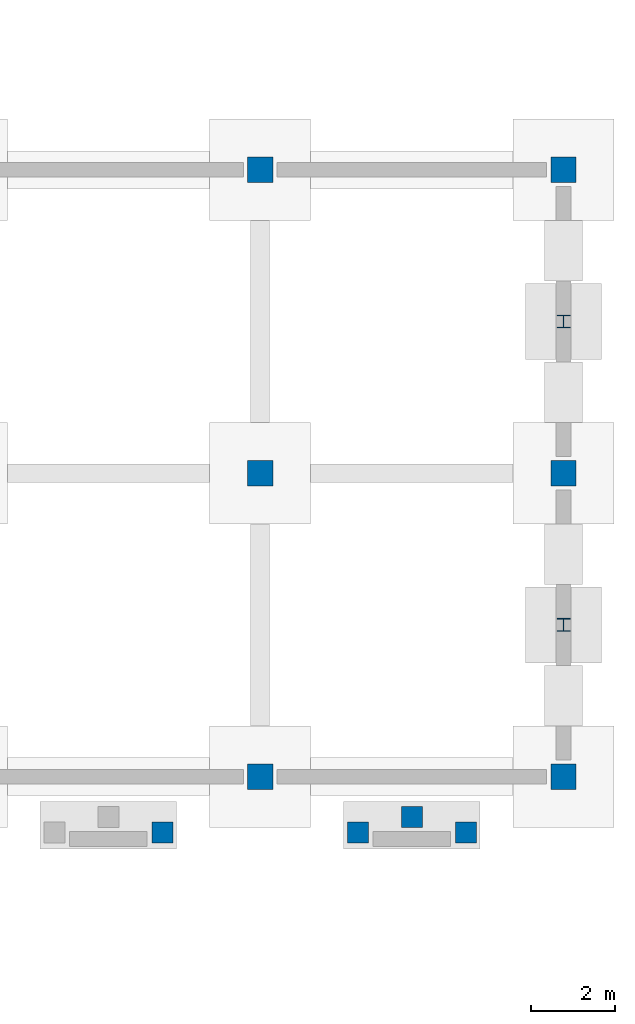
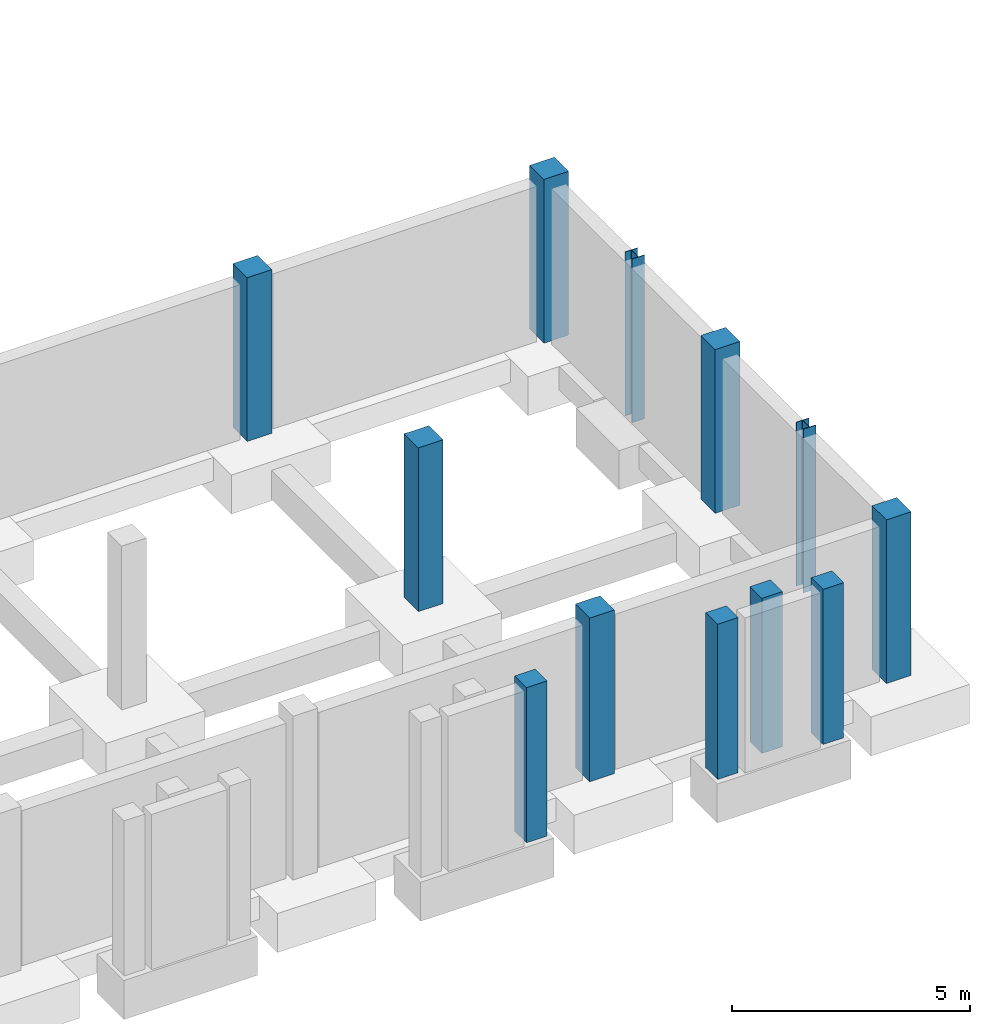
# One storey, part 21 of 46: 12 columns.
"""IFC4 building model written with IfcOpenShell, lengths in metres."""

import ifcopenshell
import ifcopenshell.guid

model = None  # the IFC model being written
_history = None  # IfcOwnerHistory: only IFC2X3 demands one
_inside = {}  # id of a spatial element -> (the spatial element, [elements in it])
_under = {}  # id of a project, library or spatial element -> (it, [spatial elements below it])
_declared = {}  # id of a project -> (the project, [libraries it declares])
_typed = {}  # id of a type object -> (the type object, [elements of that type])
_made_of = {}  # id of a material, layer set ... -> (it, [elements and type objects made of it])


def new_model(schema):
    """Start an empty IFC model of exactly this schema.

    Asked for "IFC4X3", IfcOpenShell would pick the latest addendum, in which some entities
    have other attributes; the version numbers below select the first issue.
    IFC2X3 requires an IfcOwnerHistory on every rooted entity: one is made here for all.
    """
    global model, _history
    if schema == "IFC4X3":
        model = ifcopenshell.file(schema_version=(4, 3, 0, 0))
    else:
        model = ifcopenshell.file(schema=schema)
    _inside.clear()
    _under.clear()
    _declared.clear()
    _typed.clear()
    _made_of.clear()
    _history = None
    if model.schema == "IFC2X3":
        org = make("IfcOrganization", Name="unknown")
        user = make(
            "IfcPersonAndOrganization",
            ThePerson=make("IfcPerson", FamilyName="unknown"),
            TheOrganization=org,
        )
        app = make(
            "IfcApplication",
            ApplicationDeveloper=org,
            Version="unknown",
            ApplicationFullName="unknown",
            ApplicationIdentifier="unknown",
        )
        _history = make(
            "IfcOwnerHistory",
            OwningUser=user,
            OwningApplication=app,
            ChangeAction="ADDED",
            CreationDate=0,
        )
    return model


def make(cls, **values):
    """One entity of the class cls with the attributes given. An attribute that is None is left unset."""
    return model.create_entity(
        cls, **{name: value for name, value in values.items() if value is not None}
    )


def rooted(cls, **values):
    """An entity with a GlobalId (a new one), such as an element, a storey or a relation."""
    return make(cls, GlobalId=ifcopenshell.guid.new(), OwnerHistory=_history, **values)


def si_unit(unit_type, name, prefix=None):
    """IfcSIUnit, for example si_unit("LENGTHUNIT", "METRE", prefix="MILLI")."""
    return make("IfcSIUnit", UnitType=unit_type, Prefix=prefix, Name=name)


def assignment(units):
    """IfcUnitAssignment: the units of a project."""
    return None if units is None else make("IfcUnitAssignment", Units=units)


def point(xyz):
    """IfcCartesianPoint."""
    return None if xyz is None else make("IfcCartesianPoint", Coordinates=xyz)


def direction(xyz):
    """IfcDirection."""
    return None if xyz is None else make("IfcDirection", DirectionRatios=xyz)


def frame(location, z_axis=None, x_axis=None):
    """IfcAxis2Placement3D, a coordinate frame: its origin and axes. An axis left out is left unset."""
    return make(
        "IfcAxis2Placement3D",
        Location=point(location),
        Axis=direction(z_axis),
        RefDirection=direction(x_axis),
    )


def frame_2d(location, x_axis=None):
    """IfcAxis2Placement2D, a coordinate frame in the plane: its origin and x axis."""
    return make(
        "IfcAxis2Placement2D", Location=point(location), RefDirection=direction(x_axis)
    )


def origin():
    """The frame at (0, 0, 0) with its axes left unset."""
    return frame((0.0, 0.0, 0.0))


def origin_2d():
    """The frame at (0, 0) in the plane with its x axis left unset."""
    return frame_2d((0.0, 0.0))


def place(relative_to, where):
    """IfcLocalPlacement: puts the frame where relative to a parent placement (None: the world)."""
    return make(
        "IfcLocalPlacement", PlacementRelTo=relative_to, RelativePlacement=where
    )


def context(
    kind, dimensions, precision=None, world=None, true_north=None, identifier=None
):
    """IfcGeometricRepresentationContext, for example the 3D "Model" context."""
    return make(
        "IfcGeometricRepresentationContext",
        ContextIdentifier=identifier,
        ContextType=kind,
        CoordinateSpaceDimension=dimensions,
        Precision=precision,
        WorldCoordinateSystem=world,
        TrueNorth=true_north,
    )


def subcontext(parent, identifier, kind, view, scale=None):
    """IfcGeometricRepresentationSubContext, for example "Body" below "Model"."""
    return make(
        "IfcGeometricRepresentationSubContext",
        ContextIdentifier=identifier,
        ContextType=kind,
        ParentContext=parent,
        TargetScale=scale,
        TargetView=view,
    )


def project(units=None, contexts=None):
    """IfcProject with its units and contexts."""
    return rooted(
        "IfcProject",
        Name="project",
        RepresentationContexts=contexts,
        UnitsInContext=assignment(units),
    )


def spatial(cls, under=None, at=None, **own):
    """A site, building, storey or space (cls), placed at a placement, below another one or the project."""
    s = rooted(cls, ObjectPlacement=at, **own)
    if under is not None:
        _under.setdefault(under.id(), (under, []))[1].append(s)
    return s


def profile(cls, at=None, kind="AREA", **sizes):
    """A parametric profile (cls). Its sizes go by their IFC names, for example OverallWidth=200.0."""
    return make(cls, ProfileType=kind, Position=at, **sizes)


def rectangle(**sizes):
    """IfcRectangleProfileDef."""
    return profile("IfcRectangleProfileDef", **sizes)


def i_section(**sizes):
    """IfcIShapeProfileDef."""
    return profile("IfcIShapeProfileDef", **sizes)


def extrude(swept, where, along, depth):
    """IfcExtrudedAreaSolid: the profile swept, set in the frame where, extruded along a direction by depth."""
    return make(
        "IfcExtrudedAreaSolid",
        SweptArea=swept,
        Position=where,
        ExtrudedDirection=direction(along),
        Depth=depth,
    )


def shape(context_of_items, identifier, shape_type, items):
    """IfcShapeRepresentation: the items that make up one representation, for example the "Body"."""
    return make(
        "IfcShapeRepresentation",
        ContextOfItems=context_of_items,
        RepresentationIdentifier=identifier,
        RepresentationType=shape_type,
        Items=items,
    )


def material(Name=None, Category=None):
    """IfcMaterial."""
    return make("IfcMaterial", Name=Name, Category=Category)


def material_profile(
    of_material, cross_section, Name=None, Category=None, Priority=None
):
    """IfcMaterialProfile: a cross section and its material."""
    return make(
        "IfcMaterialProfile",
        Name=Name,
        Material=of_material,
        Profile=cross_section,
        Priority=Priority,
        Category=Category,
    )


def profile_set(profiles, Name=None, composite=None):
    """IfcMaterialProfileSet."""
    return make(
        "IfcMaterialProfileSet",
        Name=Name,
        MaterialProfiles=profiles,
        CompositeProfile=composite,
    )


def made_of(thing, what):
    """Note that an element or type object is made of a material, layer set ...; save() writes the relation."""
    if what is not None:
        _made_of.setdefault(what.id(), (what, []))[1].append(thing)
    return thing


def type_object(cls, material=None, **own):
    """A type object (cls), such as IfcWallType, which elements share."""
    return made_of(rooted(cls, **own), material)


def element(
    cls,
    number,
    at=None,
    inside=None,
    cuts=None,
    type_object=None,
    material=None,
    context=None,
    identifier="Body",
    shape_type=None,
    held_by="IfcProductDefinitionShape",
    body=None,
    shapes=None,
    **own,
):
    """One element of the class cls, such as IfcWall. Its Tag is "e" and its number.

    at: its placement. inside: the storey or other place that contains it. cuts: it is an
    opening in that element (IfcRelVoidsElement). A single representation is given by context,
    identifier, shape_type and body (its items); several are given by shapes. held_by: the class
    of the entity that holds the representations. save() writes the other relations.
    """
    e = rooted(cls, Tag="e%d" % number, ObjectPlacement=at, **own)
    if body is not None:
        shapes = [shape(context, identifier, shape_type, body)]
    if shapes is not None:
        e.Representation = make(held_by, Representations=shapes)
    if inside is not None:
        _inside.setdefault(inside.id(), (inside, []))[1].append(e)
    if cuts is not None:
        rooted(
            "IfcRelVoidsElement", RelatingBuildingElement=cuts, RelatedOpeningElement=e
        )
    if type_object is not None:
        _typed.setdefault(type_object.id(), (type_object, []))[1].append(e)
    return made_of(e, material)


def aggregate(whole, parts):
    """IfcRelAggregates: a whole, such as a stair, and the parts it consists of."""
    return rooted("IfcRelAggregates", RelatingObject=whole, RelatedObjects=parts)


def save(model, path):
    """Write the relations noted so far, then the file.

    IfcRelAggregates (storeys below a building ...), IfcRelContainedInSpatialStructure (elements
    in a storey), IfcRelDefinesByType, IfcRelAssociatesMaterial and IfcRelDeclares: one each for
    every whole, place, type object, material and project.
    """
    for whole, parts in _under.values():
        aggregate(whole, parts)
    for where, things in _inside.values():
        rooted(
            "IfcRelContainedInSpatialStructure",
            RelatedElements=things,
            RelatingStructure=where,
        )
    for kind, things in _typed.values():
        rooted("IfcRelDefinesByType", RelatedObjects=things, RelatingType=kind)
    for what, things in _made_of.values():
        rooted("IfcRelAssociatesMaterial", RelatedObjects=things, RelatingMaterial=what)
    for by, libraries in _declared.values():
        rooted("IfcRelDeclares", RelatingContext=by, RelatedDefinitions=libraries)
    model.write(path)


model = new_model("IFC4")

# Units and contexts
model_context = context("Model", 3, precision=1e-05, world=origin(), true_north=direction((0.0, 1.0)))
body_context = subcontext(model_context, "Body", "Model", "MODEL_VIEW")
ifc_project = project(units=[si_unit("LENGTHUNIT", "METRE"), si_unit("AREAUNIT", "SQUARE_METRE"), si_unit("VOLUMEUNIT", "CUBIC_METRE"), si_unit("PLANEANGLEUNIT", "RADIAN"), si_unit("MASSUNIT", "GRAM", prefix="KILO")], contexts=[model_context])

# Site, building, storey
site_placement = place(None, origin())
site = spatial("IfcSite", under=ifc_project, at=site_placement, CompositionType="ELEMENT")
building_placement = place(site_placement, origin())
building = spatial("IfcBuilding", under=site, at=building_placement, Name="Sillqori Civic Hall", CompositionType="ELEMENT")
storey_placement = place(building_placement, frame((0.0, 0.0, -4.199951171875)))
storey = spatial("IfcBuildingStorey", under=building, at=storey_placement, Name="B01", CompositionType="ELEMENT", Elevation=-4.199951171875)

# Columns
ifc_material_1 = material(Name="Concrete C35/45 (H35)", Category="concrete")
ifc_material_profile_1 = material_profile(ifc_material_1, rectangle(XDim=0.5, YDim=0.5, at=origin_2d()), Name="RC 500x500")
ifc_profile_set_1 = profile_set([ifc_material_profile_1], Name="Concrete C35/45 (H35)")
column_type_1 = type_object("IfcColumnType", Name="COL-RC500", PredefinedType="COLUMN", material=ifc_profile_set_1)
for number, where, z_axis, x_axis, name in (
    (1, (163.280029296875, 13.080078125, 0.0), (0.0, 0.0, 1.0), (1.0, 0.0, 0.0), "Library Archive Garden Portal subgrade pier 2"),
    (2, (167.919921875, 13.080078125, 0.0), (0.0, 0.0, 1.0), (1.0, 0.0, 0.0), "Library Pavilion Far East Exit subgrade pier 1"),
    (3, (170.47998046875, 13.080078125, 0.0), (0.0, 0.0, 1.0), (1.0, 0.0, 0.0), "Library Pavilion Far East Exit subgrade pier 2"),
    (4, (169.199951171875, 13.43994140625, 0.0), (0.0, 0.0, 1.0), (1.0, 0.0, 0.0), "Library Pavilion Far East Exit subgrade pier 3"),
):
    element("IfcColumn", number, at=place(storey_placement, frame(where, z_axis=z_axis, x_axis=x_axis)), inside=storey, type_object=column_type_1, Name=name, PredefinedType="COLUMN", context=body_context, shape_type="SweptSolid", body=[
        extrude(rectangle(XDim=0.5, YDim=0.5, at=origin_2d()), origin(), (0.0, 0.0, 1.0), 3.97998046875),
    ])
ifc_material_profile_2 = material_profile(ifc_material_1, rectangle(XDim=0.60009765625, YDim=0.60009765625, at=origin_2d()), Name="RC 600x600")
ifc_profile_set_2 = profile_set([ifc_material_profile_2], Name="Concrete C35/45 (H35)")
column_type_2 = type_object("IfcColumnType", Name="COL-RC600", PredefinedType="COLUMN", material=ifc_profile_set_2)
for number, where, z_axis, x_axis, name in (
    (5, (165.60009765625, 14.39990234375, 0.0), (0.0, 0.0, 1.0), (1.0, 0.0, 0.0), "B01 column 23-2"),
    (6, (165.60009765625, 21.60009765625, 0.0), (0.0, 0.0, 1.0), (1.0, 0.0, 0.0), "B01 column 23-3"),
    (7, (165.60009765625, 28.800048828125, 0.0), (0.0, 0.0, 1.0), (1.0, 0.0, 0.0), "B01 column 23-4"),
    (8, (172.800048828125, 14.39990234375, 0.0), (0.0, 0.0, 1.0), (1.0, 0.0, 0.0), "B01 column 24-2"),
    (9, (172.800048828125, 21.60009765625, 0.0), (0.0, 0.0, 1.0), (1.0, 0.0, 0.0), "B01 column 24-3"),
    (10, (172.800048828125, 28.800048828125, 0.0), (0.0, 0.0, 1.0), (1.0, 0.0, 0.0), "B01 column 24-4"),
):
    element("IfcColumn", number, at=place(storey_placement, frame(where, z_axis=z_axis, x_axis=x_axis)), inside=storey, type_object=column_type_2, Name=name, PredefinedType="COLUMN", context=body_context, shape_type="SweptSolid", body=[
        extrude(rectangle(XDim=0.60009765625, YDim=0.60009765625, at=origin_2d()), origin(), (0.0, 0.0, 1.0), 4.199951171875),
    ])
ifc_material_2 = material(Name="Steel ASTM A992", Category="steel")
ifc_material_profile_3 = material_profile(ifc_material_2, i_section(OverallWidth=0.304931640625, OverallDepth=0.306884765625, WebThickness=0.010009765625, FlangeThickness=0.015380859375, FilletRadius=0.014892578125, at=origin_2d()), Name="W12X65")
ifc_profile_set_3 = profile_set([ifc_material_profile_3], Name="Steel ASTM A992")
column_type_3 = type_object("IfcColumnType", Name="PIL-W12X65", PredefinedType="PILASTER", material=ifc_profile_set_3)
for number, where, z_axis, x_axis, name in (
    (11, (172.800048828125, 18.0, 0.0), (0.0, 0.0, 1.0), (1.0, 0.0, 0.0), "B01 facade pilaster 06"),
    (12, (172.800048828125, 25.199951171875, 0.0), (0.0, 0.0, 1.0), (1.0, 0.0, 0.0), "B01 facade pilaster 07"),
):
    element("IfcColumn", number, at=place(storey_placement, frame(where, z_axis=z_axis, x_axis=x_axis)), inside=storey, type_object=column_type_3, Name=name, PredefinedType="PILASTER", context=body_context, shape_type="SweptSolid", body=[
        extrude(i_section(OverallWidth=0.304931640625, OverallDepth=0.306884765625, WebThickness=0.010009765625, FlangeThickness=0.015380859375, FilletRadius=0.014892578125, at=origin_2d()), origin(), (0.0, 0.0, 1.0), 4.199951171875),
    ])

save(model, "model.ifc")
